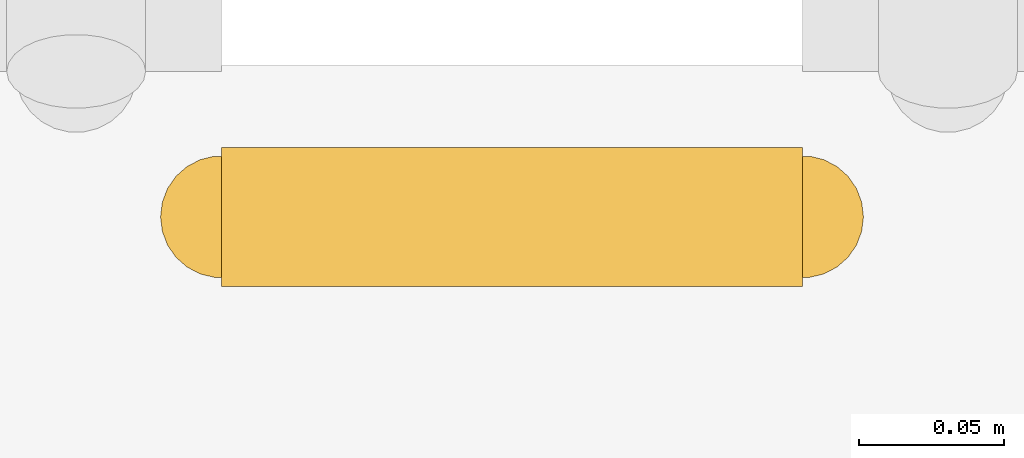
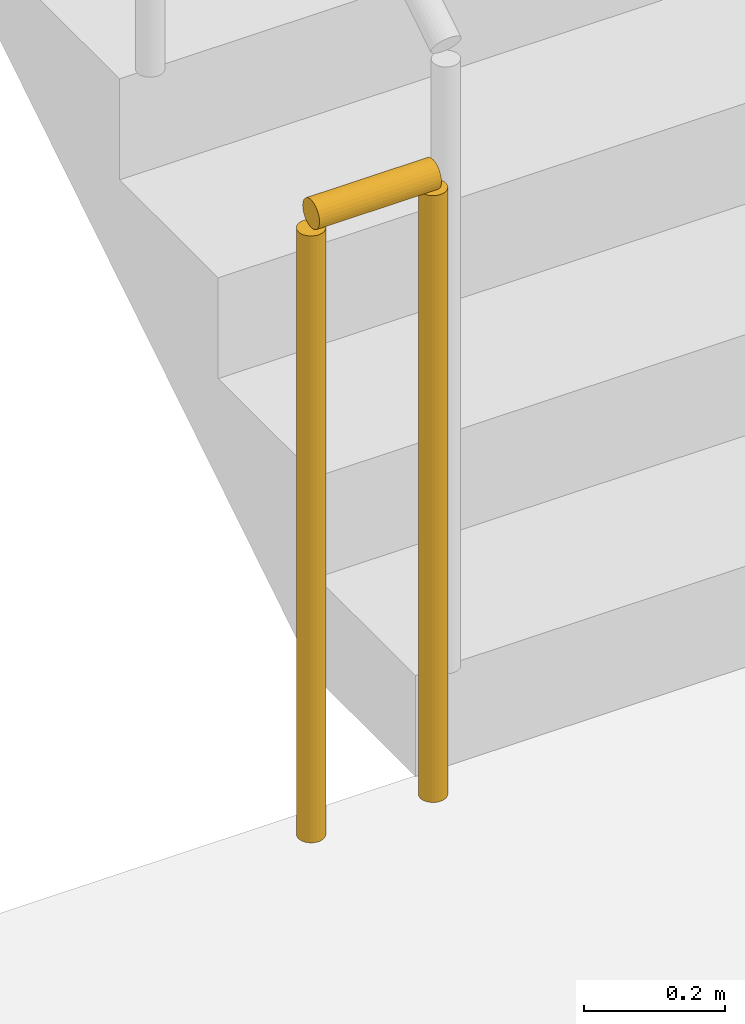
# One storey, part 11 of 21: 1 railing.
"""IFC4 building model written with IfcOpenShell, lengths in metres."""

from ifc_helpers import new_model, si_unit, direction, frame, origin, origin_2d, place, context, subcontext, project, spatial, circle, extrude, material, type_object, element, save


model = new_model("IFC4")

# Units and contexts
model_context = context("Model", 3, precision=1e-05, world=origin(), true_north=direction((0.0, 1.0)))
body_context = subcontext(model_context, "Body", "Model", "MODEL_VIEW")
ifc_project = project(units=[si_unit("LENGTHUNIT", "METRE"), si_unit("AREAUNIT", "SQUARE_METRE"), si_unit("VOLUMEUNIT", "CUBIC_METRE"), si_unit("PLANEANGLEUNIT", "RADIAN"), si_unit("MASSUNIT", "GRAM", prefix="KILO")], contexts=[model_context])

# Site, building, storey
site_placement = place(None, origin())
site = spatial("IfcSite", under=ifc_project, at=site_placement, CompositionType="ELEMENT")
building_placement = place(site_placement, origin())
building = spatial("IfcBuilding", under=site, at=building_placement, Name="Kiln Ring Residences", CompositionType="ELEMENT")
storey_placement = place(building_placement, frame((0.0, 0.0, 100.800048828125)))
storey = spatial("IfcBuildingStorey", under=building, at=storey_placement, Name="L25", CompositionType="ELEMENT", Elevation=100.800048828125)

# Railing
ifc_material = material(Name="Stainless steel", Category="steel")
railing_type = type_object("IfcRailingType", Name="CORE-STAIR-GUARD", PredefinedType="GUARDRAIL", material=ifc_material)
railing_placement = place(storey_placement, frame((-22.0, -8.449951171875, 0.0)))
element("IfcRailing", 1, at=railing_placement, inside=storey, type_object=railing_type, Name="L25 W-STS stair guard 4", PredefinedType="GUARDRAIL", context=body_context, shape_type="SweptSolid", body=[
    extrude(circle(Radius=0.02392578125, at=origin_2d()), frame((0.0, 0.0, 1.076171875), z_axis=(-1.0, 0.0, 0.0), x_axis=(0.0, -1.0, 0.0)), (0.0, 0.0, 1.0), 0.199951171875),
    extrude(circle(Radius=0.02099609375, at=origin_2d()), origin(), (0.0, 0.0, 1.0), 1.052001953125),
    extrude(circle(Radius=0.02099609375, at=origin_2d()), frame((-0.199951171875, 0.0, 0.0)), (0.0, 0.0, 1.0), 1.052001953125),
])

save(model, "model.ifc")
